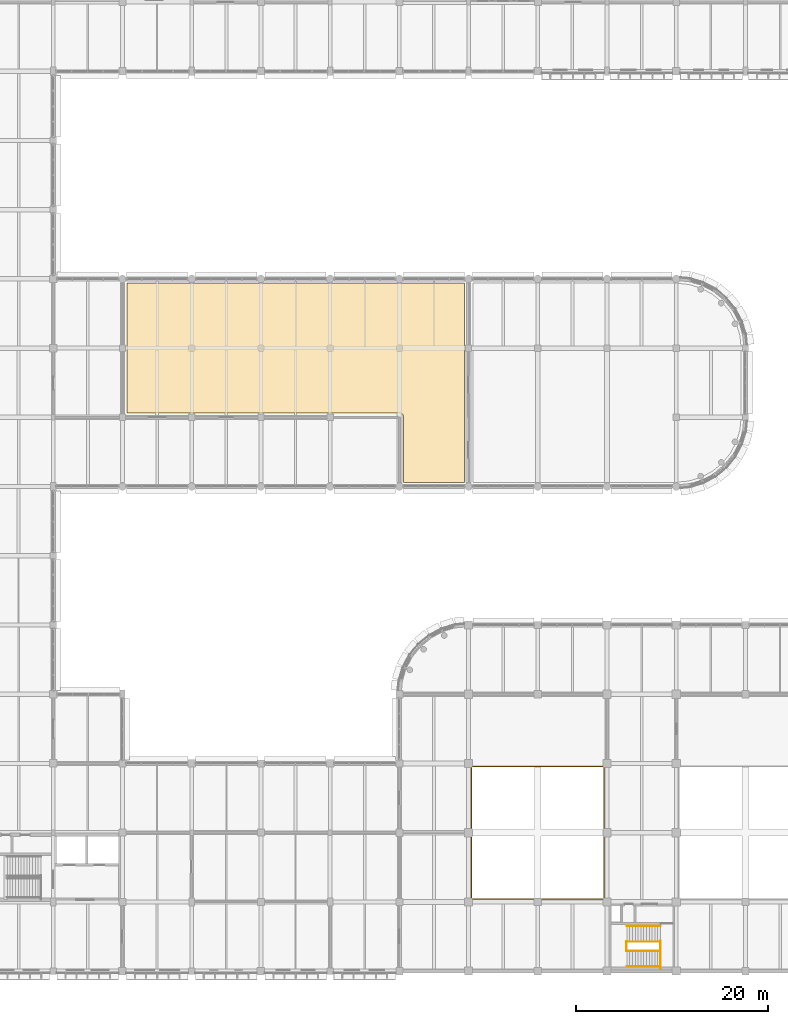
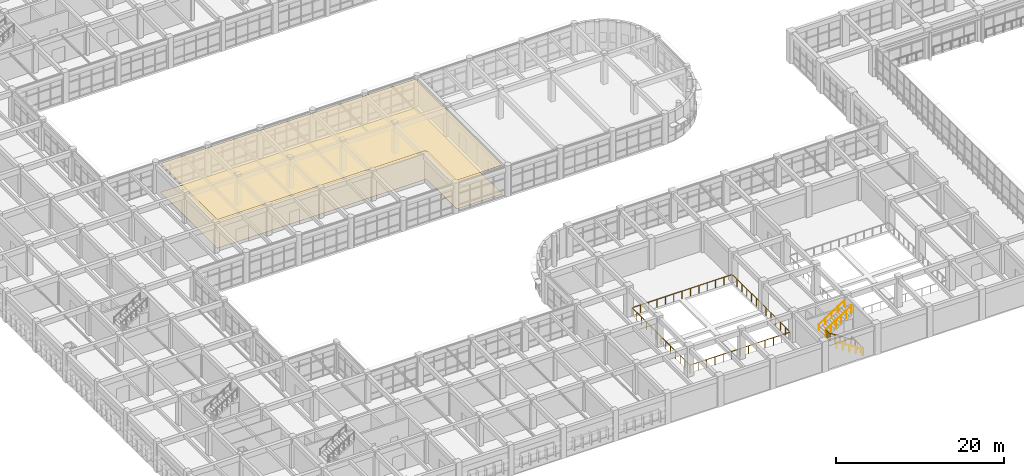
# One storey, part 166 of 171: 7 railings, 2 coverings.
"""IFC4 building model written with IfcOpenShell, lengths in metres."""

from ifc_helpers import new_model, si_unit, direction, frame, origin, origin_2d, place, context, subcontext, project, spatial, polyline, circle, outline, extrude, material, layer, layer_set, type_object, element, save


model = new_model("IFC4")

# Units and contexts
model_context = context("Model", 3, precision=1e-05, world=origin(), true_north=direction((0.0, 1.0)))
body_context = subcontext(model_context, "Body", "Model", "MODEL_VIEW")
ifc_project = project(units=[si_unit("LENGTHUNIT", "METRE"), si_unit("AREAUNIT", "SQUARE_METRE"), si_unit("VOLUMEUNIT", "CUBIC_METRE"), si_unit("PLANEANGLEUNIT", "RADIAN"), si_unit("MASSUNIT", "GRAM", prefix="KILO")], contexts=[model_context])

# Site, building, storey
site_placement = place(None, origin())
site = spatial("IfcSite", under=ifc_project, at=site_placement, CompositionType="ELEMENT")
building_placement = place(site_placement, origin())
building = spatial("IfcBuilding", under=site, at=building_placement, Name="Thalmaran Polytechnic", CompositionType="ELEMENT")
storey_placement = place(building_placement, frame((0.0, 0.0, 5.39990234375)))
storey = spatial("IfcBuildingStorey", under=building, at=storey_placement, Name="L01", CompositionType="ELEMENT", Elevation=5.39990234375)

# Coverings
ifc_material_1 = material(Name="Acoustic mineral fibre ceiling")
ifc_layer_1 = layer(ifc_material_1, 0.02490234375, Name="Acoustic mineral fibre ceiling")
ifc_layer_set_1 = layer_set([ifc_layer_1], Name="Acoustic mineral fibre ceiling")
covering_type_1 = type_object("IfcCoveringType", Name="CV-CL01", PredefinedType="CEILING", material=ifc_layer_set_1)
covering_1_placement = place(storey_placement, frame((0.0, 0.0, 4.18505859375)))
element("IfcCovering", 1, at=covering_1_placement, inside=storey, type_object=covering_type_1, Name="Student Union Commons Acoustic Ceiling", PredefinedType="CEILING", context=body_context, shape_type="SweptSolid", body=[
    extrude(outline(polyline([(29.25, 71.550048828125), (64.35009765625, 71.550048828125), (64.35009765625, 50.85009765625), (58.050048828125, 50.85009765625), (58.050048828125, 57.60009765625), (58.0478515625, 57.64404296875), (58.041259765625, 57.687744140625), (58.030517578125, 57.730712890625), (58.015625, 57.772216796875), (57.996826171875, 57.81201171875), (57.97412109375, 57.85009765625), (57.94775390625, 57.885498046875), (57.918212890625, 57.918212890625), (57.885498046875, 57.94775390625), (57.85009765625, 57.97412109375), (57.81201171875, 57.996826171875), (57.772216796875, 58.015625), (57.730712890625, 58.030517578125), (57.687744140625, 58.041259765625), (57.64404296875, 58.0478515625), (57.60009765625, 58.050048828125), (29.25, 58.050048828125), (29.25, 71.550048828125)])), origin(), (0.0, 0.0, 1.0), 0.025146484375),
])
ifc_material_2 = material(Name="Polished terrazzo and epoxy lab flooring")
ifc_layer_2 = layer(ifc_material_2, 0.02001953125, Name="Polished terrazzo and epoxy lab flooring")
ifc_layer_set_2 = layer_set([ifc_layer_2], Name="Polished terrazzo and epoxy lab flooring")
covering_type_2 = type_object("IfcCoveringType", Name="CV-FL01", PredefinedType="FLOORING", material=ifc_layer_set_2)
covering_2_placement = place(storey_placement, origin())
element("IfcCovering", 2, at=covering_2_placement, inside=storey, type_object=covering_type_2, Name="Student Union Commons Specialist Finish Flooring", PredefinedType="FLOORING", context=body_context, shape_type="SweptSolid", body=[
    extrude(outline(polyline([(29.25, 71.550048828125), (64.35009765625, 71.550048828125), (64.35009765625, 50.85009765625), (58.050048828125, 50.85009765625), (58.050048828125, 57.60009765625), (58.0478515625, 57.64404296875), (58.041259765625, 57.687744140625), (58.030517578125, 57.730712890625), (58.015625, 57.772216796875), (57.996826171875, 57.81201171875), (57.97412109375, 57.85009765625), (57.94775390625, 57.885498046875), (57.918212890625, 57.918212890625), (57.885498046875, 57.94775390625), (57.85009765625, 57.97412109375), (57.81201171875, 57.996826171875), (57.772216796875, 58.015625), (57.730712890625, 58.030517578125), (57.687744140625, 58.041259765625), (57.64404296875, 58.0478515625), (57.60009765625, 58.050048828125), (29.25, 58.050048828125), (29.25, 71.550048828125)])), origin(), (0.0, 0.0, 1.0), 0.02001953125),
])

# Railings
ifc_material_3 = material(Name="Stainless steel 316", Category="steel")
railing_type_1 = type_object("IfcRailingType", Name="RL-GR01", PredefinedType="GUARDRAIL", material=ifc_material_3)
railing_1_placement = place(storey_placement, frame((84.77001953125, 0.25, 0.0)))
element("IfcRailing", 3, at=railing_1_placement, inside=storey, type_object=railing_type_1, Name="ST7 L01 Landing Edge Guardrail", PredefinedType="GUARDRAIL", context=body_context, shape_type="SweptSolid", body=[
    extrude(circle(Radius=0.02392578125, at=origin_2d()), frame((0.0, 0.0, 1.1259765625), z_axis=(0.0, 1.0, 0.0), x_axis=(-1.0, 0.0, 0.0)), (0.0, 0.0, 1.0), 2.8701171875),
    extrude(circle(Radius=0.02099609375, at=origin_2d()), origin(), (0.0, 0.0, 1.0), 1.101806640625),
    extrude(circle(Radius=0.02099609375, at=origin_2d()), frame((0.0, 0.717529296875, 0.0)), (0.0, 0.0, 1.0), 1.101806640625),
    extrude(circle(Radius=0.02099609375, at=origin_2d()), frame((0.0, 1.43505859375, 0.0)), (0.0, 0.0, 1.0), 1.101806640625),
    extrude(circle(Radius=0.02099609375, at=origin_2d()), frame((0.0, 2.152587890625, 0.0)), (0.0, 0.0, 1.0), 1.101806640625),
    extrude(circle(Radius=0.02099609375, at=origin_2d()), frame((0.0, 2.8701171875, 0.0)), (0.0, 0.0, 1.0), 1.101806640625),
])
railing_2_placement = place(storey_placement, frame((84.760009765625, 2.1201171875, 0.0)))
element("IfcRailing", 4, at=railing_2_placement, inside=storey, type_object=railing_type_1, Name="ST7 L01 Lower Flight Guardrail", PredefinedType="GUARDRAIL", context=body_context, shape_type="SweptSolid", body=[
    extrude(circle(Radius=0.02392578125, at=origin_2d()), frame((0.0, 0.0, 1.1259765625), z_axis=(-0.841178475377, 0.0, 0.540757591313), x_axis=(0.0, -1.0, 0.0)), (0.0, 0.0, 1.0), 4.160888671875),
    extrude(circle(Radius=0.02099609375, at=origin_2d()), origin(), (0.0, 0.0, 1.0), 1.101806640625),
    extrude(circle(Radius=0.02099609375, at=origin_2d()), frame((-0.699951171875, 0.0, 0.449951171875)), (0.0, 0.0, 1.0), 1.101806640625),
    extrude(circle(Radius=0.02099609375, at=origin_2d()), frame((-1.39990234375, 0.0, 0.89990234375)), (0.0, 0.0, 1.0), 1.101806640625),
    extrude(circle(Radius=0.02099609375, at=origin_2d()), frame((-2.10009765625, 0.0, 1.35009765625)), (0.0, 0.0, 1.0), 1.101806640625),
    extrude(circle(Radius=0.02099609375, at=origin_2d()), frame((-2.800048828125, 0.0, 1.800048828125)), (0.0, 0.0, 1.0), 1.101806640625),
    extrude(circle(Radius=0.02099609375, at=origin_2d()), frame((-3.5, 0.0, 2.25)), (0.0, 0.0, 1.0), 1.101806640625),
])
railing_3_placement = place(storey_placement, frame((81.219970703125, 2.10009765625, 2.25)))
element("IfcRailing", 5, at=railing_3_placement, inside=storey, type_object=railing_type_1, Name="ST7 L01 Half-Landing Well Guardrail", PredefinedType="GUARDRAIL", context=body_context, shape_type="SweptSolid", body=[
    extrude(circle(Radius=0.02392578125, at=origin_2d()), frame((0.0, 0.0, 1.1259765625), z_axis=(0.0, 1.0, 0.0), x_axis=(-1.0, 0.0, 0.0)), (0.0, 0.0, 1.0), 0.97998046875),
    extrude(circle(Radius=0.02099609375, at=origin_2d()), origin(), (0.0, 0.0, 1.0), 1.101806640625),
    extrude(circle(Radius=0.02099609375, at=origin_2d()), frame((0.0, 0.32666015625, 0.0)), (0.0, 0.0, 1.0), 1.101806640625),
    extrude(circle(Radius=0.02099609375, at=origin_2d()), frame((0.0, 0.6533203125, 0.0)), (0.0, 0.0, 1.0), 1.101806640625),
    extrude(circle(Radius=0.02099609375, at=origin_2d()), frame((0.0, 0.97998046875, 0.0)), (0.0, 0.0, 1.0), 1.101806640625),
])
railing_4_placement = place(storey_placement, frame((81.260009765625, 3.06005859375, 2.25)))
element("IfcRailing", 6, at=railing_4_placement, inside=storey, type_object=railing_type_1, Name="ST7 L01 Upper Flight Guardrail", PredefinedType="GUARDRAIL", context=body_context, shape_type="SweptSolid", body=[
    extrude(circle(Radius=0.02392578125, at=origin_2d()), frame((0.0, 0.0, 1.1259765625), z_axis=(0.841178475377, 0.0, 0.540757591313), x_axis=(0.0, 1.0, 0.0)), (0.0, 0.0, 1.0), 4.160888671875),
    extrude(circle(Radius=0.02099609375, at=origin_2d()), origin(), (0.0, 0.0, 1.0), 1.101806640625),
    extrude(circle(Radius=0.02099609375, at=origin_2d()), frame((0.699951171875, 0.0, 0.449951171875)), (0.0, 0.0, 1.0), 1.101806640625),
    extrude(circle(Radius=0.02099609375, at=origin_2d()), frame((1.39990234375, 0.0, 0.89990234375)), (0.0, 0.0, 1.0), 1.101806640625),
    extrude(circle(Radius=0.02099609375, at=origin_2d()), frame((2.10009765625, 0.0, 1.35009765625)), (0.0, 0.0, 1.0), 1.101806640625),
    extrude(circle(Radius=0.02099609375, at=origin_2d()), frame((2.800048828125, 0.0, 1.800048828125)), (0.0, 0.0, 1.0), 1.101806640625),
    extrude(circle(Radius=0.02099609375, at=origin_2d()), frame((3.5, 0.0, 2.25)), (0.0, 0.0, 1.0), 1.101806640625),
])
railing_5_placement = place(storey_placement, frame((65.10009765625, 7.5, 0.0)))
element("IfcRailing", 7, at=railing_5_placement, inside=storey, type_object=railing_type_1, Name="Lecture Bowl Gallery Guard L01-1", PredefinedType="GUARDRAIL", context=body_context, shape_type="SweptSolid", body=[
    extrude(circle(Radius=0.02392578125, at=origin_2d()), frame((0.0, 0.0, 1.1259765625), z_axis=(1.0, 0.0, 0.0), x_axis=(0.0, 1.0, 0.0)), (0.0, 0.0, 1.0), 13.7998046875),
    extrude(circle(Radius=0.02392578125, at=origin_2d()), frame((13.7998046875, 0.0, 1.1259765625), z_axis=(0.0, 1.0, 0.0), x_axis=(-1.0, 0.0, 0.0)), (0.0, 0.0, 1.0), 13.800048828125),
    extrude(circle(Radius=0.02392578125, at=origin_2d()), frame((13.7998046875, 13.800048828125, 1.1259765625), z_axis=(-1.0, 0.0, 0.0), x_axis=(0.0, -1.0, 0.0)), (0.0, 0.0, 1.0), 13.7998046875),
    extrude(circle(Radius=0.02392578125, at=origin_2d()), frame((0.0, 13.800048828125, 1.1259765625), z_axis=(0.0, -1.0, 0.0), x_axis=(1.0, 0.0, 0.0)), (0.0, 0.0, 1.0), 13.800048828125),
    extrude(circle(Radius=0.02099609375, at=origin_2d()), origin(), (0.0, 0.0, 1.0), 1.101806640625),
    extrude(circle(Radius=0.02099609375, at=origin_2d()), frame((1.14990234375, 0.0, 0.0)), (0.0, 0.0, 1.0), 1.101806640625),
    extrude(circle(Radius=0.02099609375, at=origin_2d()), frame((2.300048828125, 0.0, 0.0)), (0.0, 0.0, 1.0), 1.101806640625),
    extrude(circle(Radius=0.02099609375, at=origin_2d()), frame((3.449951171875, 0.0, 0.0)), (0.0, 0.0, 1.0), 1.101806640625),
    extrude(circle(Radius=0.02099609375, at=origin_2d()), frame((4.599853515625, 0.0, 0.0)), (0.0, 0.0, 1.0), 1.101806640625),
    extrude(circle(Radius=0.02099609375, at=origin_2d()), frame((5.75, 0.0, 0.0)), (0.0, 0.0, 1.0), 1.101806640625),
    extrude(circle(Radius=0.02099609375, at=origin_2d()), frame((6.89990234375, 0.0, 0.0)), (0.0, 0.0, 1.0), 1.101806640625),
    extrude(circle(Radius=0.02099609375, at=origin_2d()), frame((8.0498046875, 0.0, 0.0)), (0.0, 0.0, 1.0), 1.101806640625),
    extrude(circle(Radius=0.02099609375, at=origin_2d()), frame((9.199951171875, 0.0, 0.0)), (0.0, 0.0, 1.0), 1.101806640625),
    extrude(circle(Radius=0.02099609375, at=origin_2d()), frame((10.349853515625, 0.0, 0.0)), (0.0, 0.0, 1.0), 1.101806640625),
    extrude(circle(Radius=0.02099609375, at=origin_2d()), frame((11.499755859375, 0.0, 0.0)), (0.0, 0.0, 1.0), 1.101806640625),
    extrude(circle(Radius=0.02099609375, at=origin_2d()), frame((12.64990234375, 0.0, 0.0)), (0.0, 0.0, 1.0), 1.101806640625),
    extrude(circle(Radius=0.02099609375, at=origin_2d()), frame((13.7998046875, 0.0, 0.0)), (0.0, 0.0, 1.0), 1.101806640625),
    extrude(circle(Radius=0.02099609375, at=origin_2d()), frame((13.7998046875, 1.14990234375, 0.0)), (0.0, 0.0, 1.0), 1.101806640625),
    extrude(circle(Radius=0.02099609375, at=origin_2d()), frame((13.7998046875, 2.300048828125, 0.0)), (0.0, 0.0, 1.0), 1.101806640625),
    extrude(circle(Radius=0.02099609375, at=origin_2d()), frame((13.7998046875, 3.449951171875, 0.0)), (0.0, 0.0, 1.0), 1.101806640625),
    extrude(circle(Radius=0.02099609375, at=origin_2d()), frame((13.7998046875, 4.60009765625, 0.0)), (0.0, 0.0, 1.0), 1.101806640625),
    extrude(circle(Radius=0.02099609375, at=origin_2d()), frame((13.7998046875, 5.75, 0.0)), (0.0, 0.0, 1.0), 1.101806640625),
    extrude(circle(Radius=0.02099609375, at=origin_2d()), frame((13.7998046875, 6.89990234375, 0.0)), (0.0, 0.0, 1.0), 1.101806640625),
    extrude(circle(Radius=0.02099609375, at=origin_2d()), frame((13.7998046875, 8.050048828125, 0.0)), (0.0, 0.0, 1.0), 1.101806640625),
    extrude(circle(Radius=0.02099609375, at=origin_2d()), frame((13.7998046875, 9.199951171875, 0.0)), (0.0, 0.0, 1.0), 1.101806640625),
    extrude(circle(Radius=0.02099609375, at=origin_2d()), frame((13.7998046875, 10.35009765625, 0.0)), (0.0, 0.0, 1.0), 1.101806640625),
    extrude(circle(Radius=0.02099609375, at=origin_2d()), frame((13.7998046875, 11.5, 0.0)), (0.0, 0.0, 1.0), 1.101806640625),
    extrude(circle(Radius=0.02099609375, at=origin_2d()), frame((13.7998046875, 12.650146484375, 0.0)), (0.0, 0.0, 1.0), 1.101806640625),
    extrude(circle(Radius=0.02099609375, at=origin_2d()), frame((13.7998046875, 13.800048828125, 0.0)), (0.0, 0.0, 1.0), 1.101806640625),
    extrude(circle(Radius=0.02099609375, at=origin_2d()), frame((12.64990234375, 13.800048828125, 0.0)), (0.0, 0.0, 1.0), 1.101806640625),
    extrude(circle(Radius=0.02099609375, at=origin_2d()), frame((11.499755859375, 13.800048828125, 0.0)), (0.0, 0.0, 1.0), 1.101806640625),
    extrude(circle(Radius=0.02099609375, at=origin_2d()), frame((10.349853515625, 13.800048828125, 0.0)), (0.0, 0.0, 1.0), 1.101806640625),
    extrude(circle(Radius=0.02099609375, at=origin_2d()), frame((9.199951171875, 13.800048828125, 0.0)), (0.0, 0.0, 1.0), 1.101806640625),
    extrude(circle(Radius=0.02099609375, at=origin_2d()), frame((8.0498046875, 13.800048828125, 0.0)), (0.0, 0.0, 1.0), 1.101806640625),
    extrude(circle(Radius=0.02099609375, at=origin_2d()), frame((6.89990234375, 13.800048828125, 0.0)), (0.0, 0.0, 1.0), 1.101806640625),
    extrude(circle(Radius=0.02099609375, at=origin_2d()), frame((5.75, 13.800048828125, 0.0)), (0.0, 0.0, 1.0), 1.101806640625),
    extrude(circle(Radius=0.02099609375, at=origin_2d()), frame((4.599853515625, 13.800048828125, 0.0)), (0.0, 0.0, 1.0), 1.101806640625),
    extrude(circle(Radius=0.02099609375, at=origin_2d()), frame((3.449951171875, 13.800048828125, 0.0)), (0.0, 0.0, 1.0), 1.101806640625),
    extrude(circle(Radius=0.02099609375, at=origin_2d()), frame((2.300048828125, 13.800048828125, 0.0)), (0.0, 0.0, 1.0), 1.101806640625),
    extrude(circle(Radius=0.02099609375, at=origin_2d()), frame((1.14990234375, 13.800048828125, 0.0)), (0.0, 0.0, 1.0), 1.101806640625),
    extrude(circle(Radius=0.02099609375, at=origin_2d()), frame((0.0, 13.800048828125, 0.0)), (0.0, 0.0, 1.0), 1.101806640625),
    extrude(circle(Radius=0.02099609375, at=origin_2d()), frame((0.0, 12.650146484375, 0.0)), (0.0, 0.0, 1.0), 1.101806640625),
    extrude(circle(Radius=0.02099609375, at=origin_2d()), frame((0.0, 11.5, 0.0)), (0.0, 0.0, 1.0), 1.101806640625),
    extrude(circle(Radius=0.02099609375, at=origin_2d()), frame((0.0, 10.35009765625, 0.0)), (0.0, 0.0, 1.0), 1.101806640625),
    extrude(circle(Radius=0.02099609375, at=origin_2d()), frame((0.0, 9.199951171875, 0.0)), (0.0, 0.0, 1.0), 1.101806640625),
    extrude(circle(Radius=0.02099609375, at=origin_2d()), frame((0.0, 8.050048828125, 0.0)), (0.0, 0.0, 1.0), 1.101806640625),
    extrude(circle(Radius=0.02099609375, at=origin_2d()), frame((0.0, 6.89990234375, 0.0)), (0.0, 0.0, 1.0), 1.101806640625),
    extrude(circle(Radius=0.02099609375, at=origin_2d()), frame((0.0, 5.75, 0.0)), (0.0, 0.0, 1.0), 1.101806640625),
    extrude(circle(Radius=0.02099609375, at=origin_2d()), frame((0.0, 4.60009765625, 0.0)), (0.0, 0.0, 1.0), 1.101806640625),
    extrude(circle(Radius=0.02099609375, at=origin_2d()), frame((0.0, 3.449951171875, 0.0)), (0.0, 0.0, 1.0), 1.101806640625),
    extrude(circle(Radius=0.02099609375, at=origin_2d()), frame((0.0, 2.300048828125, 0.0)), (0.0, 0.0, 1.0), 1.101806640625),
    extrude(circle(Radius=0.02099609375, at=origin_2d()), frame((0.0, 1.14990234375, 0.0)), (0.0, 0.0, 1.0), 1.101806640625),
])
railing_type_2 = type_object("IfcRailingType", Name="RL-HR01", PredefinedType="HANDRAIL", material=ifc_material_3)
railing_6_placement = place(storey_placement, frame((84.760009765625, 0.47998046875, 0.0)))
element("IfcRailing", 8, at=railing_6_placement, inside=storey, type_object=railing_type_2, Name="ST7 L01 Flight 1 Handrail", PredefinedType="HANDRAIL", context=body_context, shape_type="SweptSolid", body=[
    extrude(circle(Radius=0.02392578125, at=origin_2d()), frame((0.0, 0.0, 0.8759765625), z_axis=(-0.841178475377, 0.0, 0.540757591313), x_axis=(0.0, -1.0, 0.0)), (0.0, 0.0, 1.0), 4.160888671875),
    extrude(circle(Radius=0.02099609375, at=origin_2d()), origin(), (0.0, 0.0, 1.0), 0.851806640625),
    extrude(circle(Radius=0.02099609375, at=origin_2d()), frame((-0.875, 0.0, 0.5625)), (0.0, 0.0, 1.0), 0.851806640625),
    extrude(circle(Radius=0.02099609375, at=origin_2d()), frame((-1.75, 0.0, 1.125)), (0.0, 0.0, 1.0), 0.851806640625),
    extrude(circle(Radius=0.02099609375, at=origin_2d()), frame((-2.625, 0.0, 1.6875)), (0.0, 0.0, 1.0), 0.851806640625),
    extrude(circle(Radius=0.02099609375, at=origin_2d()), frame((-3.5, 0.0, 2.25)), (0.0, 0.0, 1.0), 0.851806640625),
])
railing_7_placement = place(storey_placement, frame((81.260009765625, 4.719970703125, 2.25)))
element("IfcRailing", 9, at=railing_7_placement, inside=storey, type_object=railing_type_2, Name="ST7 L01 Flight 2 Handrail", PredefinedType="HANDRAIL", context=body_context, shape_type="SweptSolid", body=[
    extrude(circle(Radius=0.02392578125, at=origin_2d()), frame((0.0, 0.0, 0.8759765625), z_axis=(0.841178475377, 0.0, 0.540757591313), x_axis=(0.0, 1.0, 0.0)), (0.0, 0.0, 1.0), 4.160888671875),
    extrude(circle(Radius=0.02099609375, at=origin_2d()), origin(), (0.0, 0.0, 1.0), 0.851806640625),
    extrude(circle(Radius=0.02099609375, at=origin_2d()), frame((0.875, 0.0, 0.5625)), (0.0, 0.0, 1.0), 0.851806640625),
    extrude(circle(Radius=0.02099609375, at=origin_2d()), frame((1.75, 0.0, 1.125)), (0.0, 0.0, 1.0), 0.851806640625),
    extrude(circle(Radius=0.02099609375, at=origin_2d()), frame((2.625, 0.0, 1.6875)), (0.0, 0.0, 1.0), 0.851806640625),
    extrude(circle(Radius=0.02099609375, at=origin_2d()), frame((3.5, 0.0, 2.25)), (0.0, 0.0, 1.0), 0.851806640625),
])

save(model, "model.ifc")
